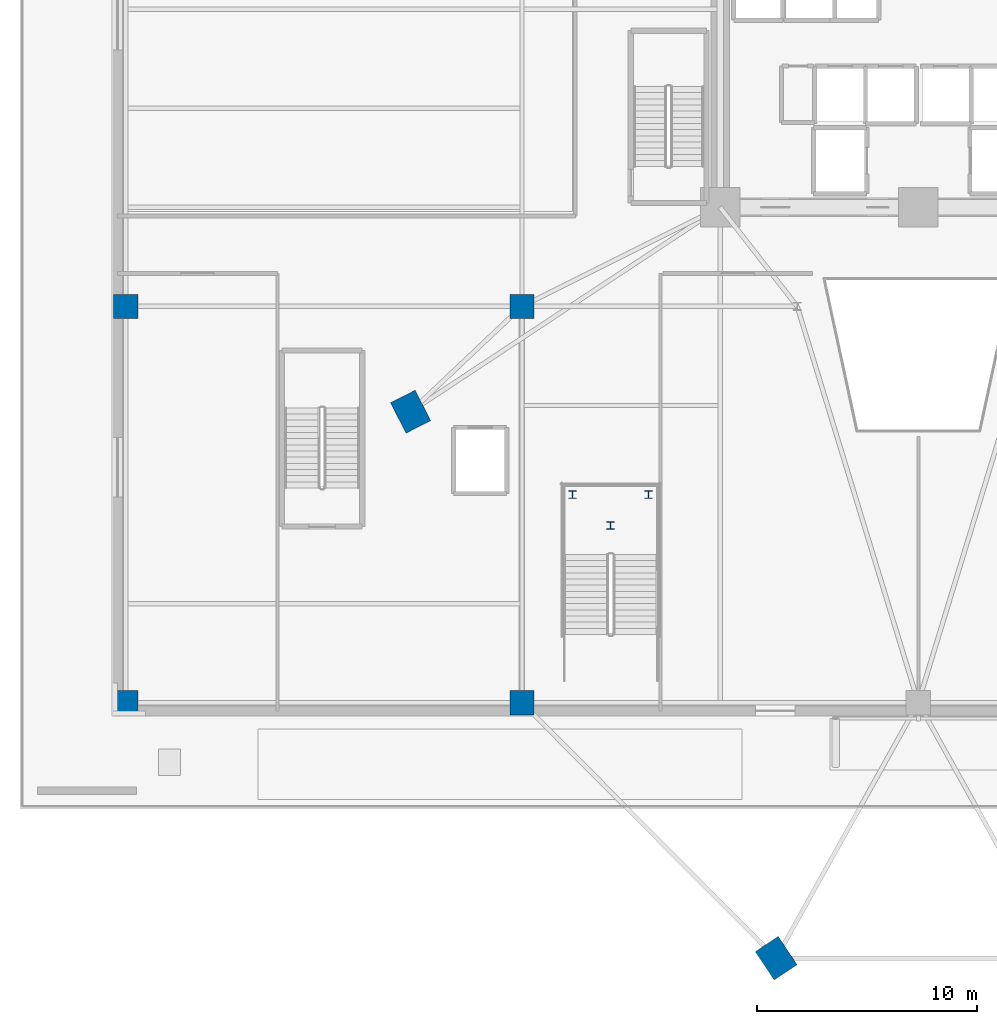
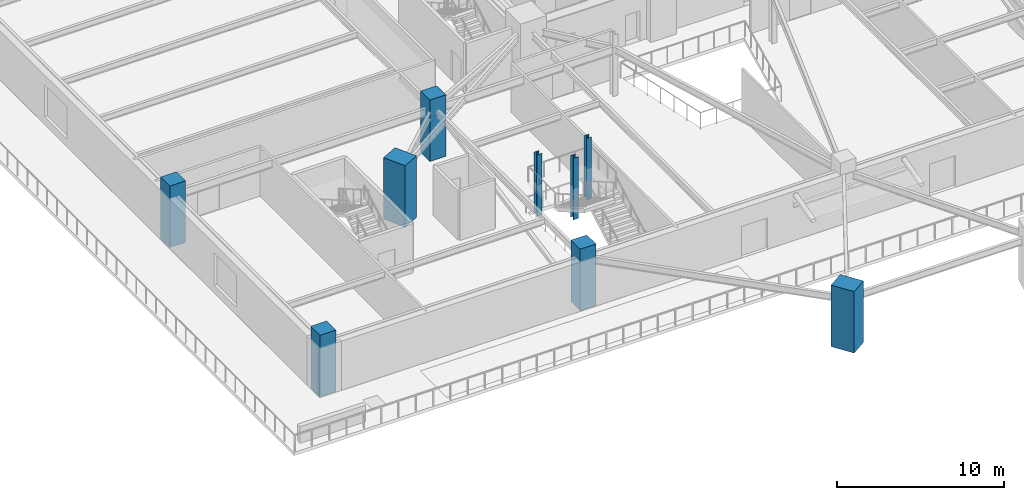
# One storey, part 1 of 19: 9 columns.
"""IFC4 building model written with IfcOpenShell, lengths in metres."""

from ifc_helpers import new_model, si_unit, direction, frame, origin, origin_2d, place, context, subcontext, project, spatial, rectangle, i_section, extrude, source, transform, mapped, material, material_profile, profile_set, type_object, element, save


model = new_model("IFC4")

# Units and contexts
model_context = context("Model", 3, precision=1e-05, world=origin(), true_north=direction((0.0, 1.0)))
body_context = subcontext(model_context, "Body", "Model", "MODEL_VIEW")
ifc_project = project(units=[si_unit("LENGTHUNIT", "METRE"), si_unit("AREAUNIT", "SQUARE_METRE"), si_unit("VOLUMEUNIT", "CUBIC_METRE"), si_unit("PLANEANGLEUNIT", "RADIAN"), si_unit("MASSUNIT", "GRAM", prefix="KILO")], contexts=[model_context])

# Site, building, storey
site_placement = place(None, origin())
site = spatial("IfcSite", under=ifc_project, at=site_placement, CompositionType="ELEMENT")
building_placement = place(site_placement, origin())
building = spatial("IfcBuilding", under=site, at=building_placement, Name="Liaohun Quay Tower", CompositionType="ELEMENT")
storey_placement = place(building_placement, frame((0.0, 0.0, 18.89990234375)))
storey = spatial("IfcBuildingStorey", under=building, at=storey_placement, Name="L05", CompositionType="ELEMENT", Elevation=18.89990234375)

# Columns
ifc_material_1 = material(Name="Concrete C60", Category="concrete")
ifc_material_profile_1 = material_profile(ifc_material_1, rectangle(XDim=1.550048828125, YDim=1.25, at=origin_2d()), Name="RC1550x1250")
ifc_profile_set_1 = profile_set([ifc_material_profile_1], Name="Concrete C60")
column_type_1 = type_object("IfcColumnType", Name="COL-PIER-Z1", PredefinedType="COLUMN", material=ifc_profile_set_1)
shared_shape_1 = source(origin(), body_context, "Body", "SweptSolid", [
    extrude(rectangle(XDim=1.550048828125, YDim=1.25, at=origin_2d()), origin(), (0.0, 0.0, 1.0), 4.5),
])
for number, where, z_axis, x_axis, name in (
    (1, (53.5458984375, 12.39697265625, 0.0), (0.0, 0.0, 1.0), (-0.556005513314, 0.831178602446, 0.0), "L05 Tower Mega-Pier PC01"),
    (2, (36.94091796875, 37.217041015625, 0.0), (0.0, 0.0, 1.0), (-0.451500573218, 0.892270829056, 0.0), "L05 Tower Mega-Pier PC02"),
):
    element("IfcColumn", number, at=place(storey_placement, frame(where, z_axis=z_axis, x_axis=x_axis)), inside=storey, type_object=column_type_1, Name=name, PredefinedType="COLUMN", context=body_context, shape_type="MappedRepresentation", body=[
        mapped(shared_shape_1, transform((0.0, 0.0, 0.0), x_axis=(1.0, 0.0, 0.0), y_axis=(0.0, 1.0, 0.0), z_axis=(0.0, 0.0, 1.0), scale=1.0)),
    ])
ifc_material_2 = material(Name="Concrete C55", Category="concrete")
ifc_material_profile_2 = material_profile(ifc_material_2, rectangle(XDim=1.10009765625, YDim=1.10009765625, at=origin_2d()), Name="RC1100x1100")
ifc_profile_set_2 = profile_set([ifc_material_profile_2], Name="Concrete C55")
column_type_2 = type_object("IfcColumnType", Name="COL-POD-P", PredefinedType="COLUMN", material=ifc_profile_set_2)
shared_shape_2 = source(origin(), body_context, "Body", "SweptSolid", [
    extrude(rectangle(XDim=1.10009765625, YDim=1.10009765625, at=origin_2d()), origin(), (0.0, 0.0, 1.0), 4.5),
])
for number, where, z_axis, x_axis, name in (
    (3, (24.0, 24.0, 0.0), (0.0, 0.0, 1.0), (1.0, 0.0, 0.0), "L05 Podium Column PG01"),
    (4, (42.0, 24.0, 0.0), (0.0, 0.0, 1.0), (1.0, 0.0, 0.0), "L05 Podium Column PG02"),
    (5, (24.0, 42.0, 0.0), (0.0, 0.0, 1.0), (1.0, 0.0, 0.0), "L05 Podium Column PG06"),
    (6, (42.0, 42.0, 0.0), (0.0, 0.0, 1.0), (1.0, 0.0, 0.0), "L05 Podium Column PG07"),
):
    element("IfcColumn", number, at=place(storey_placement, frame(where, z_axis=z_axis, x_axis=x_axis)), inside=storey, type_object=column_type_2, Name=name, PredefinedType="COLUMN", context=body_context, shape_type="MappedRepresentation", body=[
        mapped(shared_shape_2, transform((0.0, 0.0, 0.0), x_axis=(1.0, 0.0, 0.0), y_axis=(0.0, 1.0, 0.0), z_axis=(0.0, 0.0, 1.0), scale=1.0)),
    ])
ifc_material_3 = material(Name="Steel Q355D", Category="steel")
ifc_material_profile_3 = material_profile(ifc_material_3, i_section(OverallWidth=0.35009765625, OverallDepth=0.35009765625, WebThickness=0.011962890625, FlangeThickness=0.01904296875, at=origin_2d()), Name="HW350x350x12x19")
ifc_profile_set_3 = profile_set([ifc_material_profile_3], Name="Steel Q355D")
column_type_3 = type_object("IfcColumnType", Name="COL-STL-ATR", PredefinedType="COLUMN", material=ifc_profile_set_3)
shared_shape_3 = source(origin(), body_context, "Body", "SweptSolid", [
    extrude(i_section(OverallWidth=0.35009765625, OverallDepth=0.35009765625, WebThickness=0.011962890625, FlangeThickness=0.01904296875, at=origin_2d()), origin(), (0.0, 0.0, 1.0), 4.5),
])
for number, where, z_axis, x_axis, name in (
    (7, (44.300048828125, 33.449951171875, 0.0), (0.0, 0.0, 1.0), (1.0, 0.0, 0.0), "L05 Monumental Stair Support Post STA1"),
    (8, (47.75, 33.449951171875, 0.0), (0.0, 0.0, 1.0), (1.0, 0.0, 0.0), "L05 Monumental Stair Support Post STA2"),
    (9, (46.02001953125, 32.050048828125, 0.0), (0.0, 0.0, 1.0), (1.0, 0.0, 0.0), "L05 Monumental Stair Support Post STA3"),
):
    element("IfcColumn", number, at=place(storey_placement, frame(where, z_axis=z_axis, x_axis=x_axis)), inside=storey, type_object=column_type_3, Name=name, PredefinedType="COLUMN", context=body_context, shape_type="MappedRepresentation", body=[
        mapped(shared_shape_3, transform((0.0, 0.0, 0.0), x_axis=(1.0, 0.0, 0.0), y_axis=(0.0, 1.0, 0.0), z_axis=(0.0, 0.0, 1.0), scale=1.0)),
    ])

save(model, "model.ifc")
